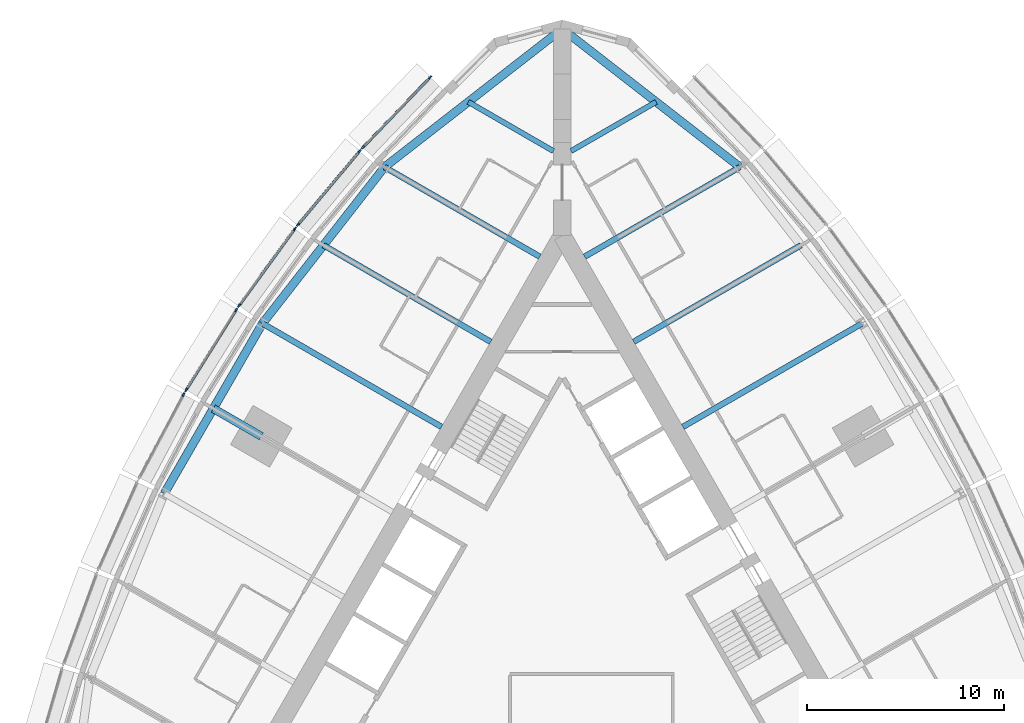
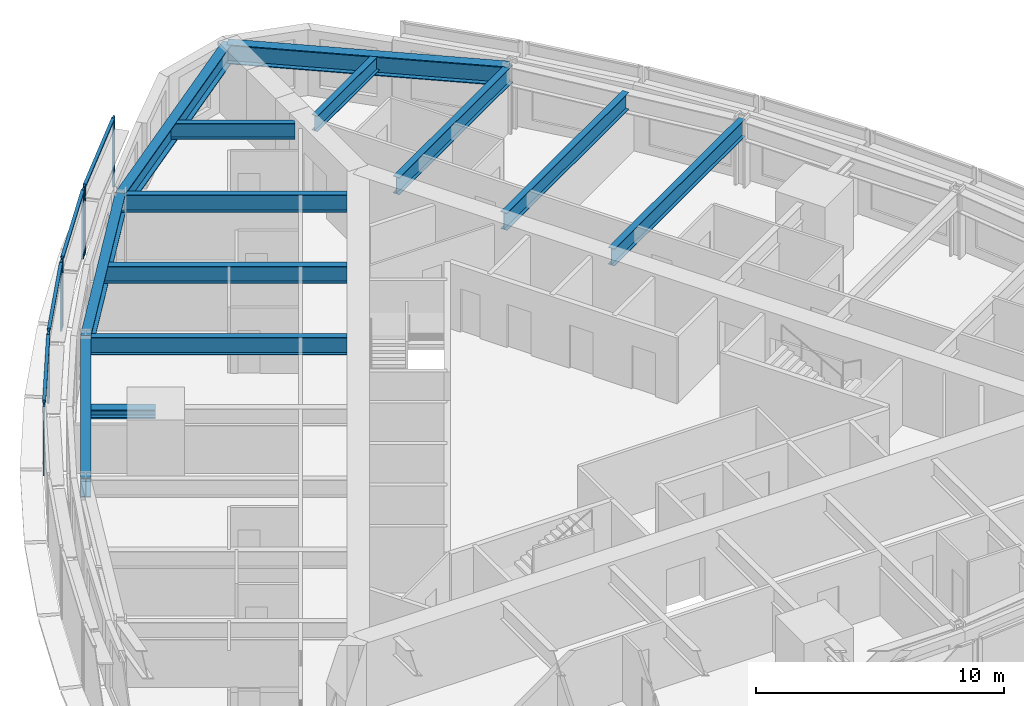
# One storey, part 4 of 14: 13 beams, 13 members, 5 elements without a shape of their own.
"""IFC4 building model written with IfcOpenShell, lengths in metres."""

from ifc_helpers import new_model, si_unit, direction, frame, origin, origin_2d, place, context, subcontext, project, spatial, rectangle, i_section, extrude, material, material_profile, profile_set, type_object, element, aggregate, save


model = new_model("IFC4")

# Units and contexts
model_context = context("Model", 3, precision=1e-05, world=origin(), true_north=direction((0.0, 1.0)))
body_context = subcontext(model_context, "Body", "Model", "MODEL_VIEW")
ifc_project = project(units=[si_unit("LENGTHUNIT", "METRE"), si_unit("AREAUNIT", "SQUARE_METRE"), si_unit("VOLUMEUNIT", "CUBIC_METRE"), si_unit("PLANEANGLEUNIT", "RADIAN"), si_unit("MASSUNIT", "GRAM", prefix="KILO")], contexts=[model_context])

# Site, building, storey
site_placement = place(None, origin())
site = spatial("IfcSite", under=ifc_project, at=site_placement, CompositionType="ELEMENT")
building_placement = place(site_placement, origin())
building = spatial("IfcBuilding", under=site, at=building_placement, Name="Trikona Tower", CompositionType="ELEMENT")
storey_placement = place(building_placement, frame((0.0, 0.0, 158.89990234375)))
storey = spatial("IfcBuildingStorey", under=building, at=storey_placement, Name="L42", CompositionType="ELEMENT", Elevation=158.89990234375)

# Curtain wall, members
ifc_material_1 = material(Name="Aluminium curtain wall system", Category="aluminium")
curtain_wall_type = type_object("IfcCurtainWallType", Name="Curtain wall DS2", PredefinedType="NOTDEFINED", material=ifc_material_1)
curtain_wall_1_placement = place(storey_placement, origin())
curtain_wall_1 = element("IfcCurtainWall", 1, at=curtain_wall_1_placement, inside=storey, type_object=curtain_wall_type, Name="Curtain wall DS2 L42", PredefinedType="NOTDEFINED")
ifc_material_2 = material(Name="Aluminium mullion, pale anodised", Category="aluminium")
ifc_material_profile_1 = material_profile(ifc_material_2, rectangle(XDim=0.080078125, YDim=0.199951171875, at=origin_2d()), Name="MUL-DS2")
ifc_profile_set_1 = profile_set([ifc_material_profile_1], Name="Aluminium mullion, pale anodised")
member_type_1 = type_object("IfcMemberType", Name="Mullion DS2 80x200", PredefinedType="MULLION", material=ifc_profile_set_1)
member_1_placement = place(storey_placement, frame((-6.718994140625, 27.1083984375, 0.0), z_axis=(0.0, 0.0, 1.0), x_axis=(0.722158330767, -0.691727797117, 0.0)))
member_1 = element("IfcMember", 2, at=member_1_placement, type_object=member_type_1, Name="CW-DS2 mullion 1", PredefinedType="MULLION", context=body_context, shape_type="SweptSolid", body=[
    extrude(rectangle(XDim=0.080078125, YDim=0.199951171875, at=origin_2d()), origin(), (0.0, 0.0, 1.0), 3.400146484375),
])
member_2_placement = place(storey_placement, frame((-10.1416015625, 23.535400390625, 0.0), z_axis=(0.0, 0.0, 1.0), x_axis=(0.722158330767, -0.691727797117, 0.0)))
member_2 = element("IfcMember", 3, at=member_2_placement, type_object=member_type_1, Name="CW-DS2 mullion 2", PredefinedType="MULLION", context=body_context, shape_type="SweptSolid", body=[
    extrude(rectangle(XDim=0.080078125, YDim=0.199951171875, at=origin_2d()), origin(), (0.0, 0.0, 1.0), 3.400146484375),
])

curtain_wall_2_placement = place(storey_placement, origin())
curtain_wall_2 = element("IfcCurtainWall", 4, at=curtain_wall_2_placement, inside=storey, type_object=curtain_wall_type, Name="Curtain wall DS2 L42", PredefinedType="NOTDEFINED")
member_3_placement = place(storey_placement, frame((-10.315185546875, 23.34130859375, 0.0), z_axis=(0.0, 0.0, 1.0), x_axis=(0.766866678271, -0.641806433248, 0.0)))
member_3 = element("IfcMember", 5, at=member_3_placement, type_object=member_type_1, Name="CW-DS2 mullion 1", PredefinedType="MULLION", context=body_context, shape_type="SweptSolid", body=[
    extrude(rectangle(XDim=0.080078125, YDim=0.199951171875, at=origin_2d()), origin(), (0.0, 0.0, 1.0), 3.400146484375),
])
member_4_placement = place(storey_placement, frame((-13.44482421875, 19.602294921875, 0.0), z_axis=(0.0, 0.0, 1.0), x_axis=(0.766866678271, -0.641806433248, 0.0)))
member_4 = element("IfcMember", 6, at=member_4_placement, type_object=member_type_1, Name="CW-DS2 mullion 2", PredefinedType="MULLION", context=body_context, shape_type="SweptSolid", body=[
    extrude(rectangle(XDim=0.080078125, YDim=0.199951171875, at=origin_2d()), origin(), (0.0, 0.0, 1.0), 3.400146484375),
])

curtain_wall_3_placement = place(storey_placement, origin())
curtain_wall_3 = element("IfcCurtainWall", 7, at=curtain_wall_3_placement, inside=storey, type_object=curtain_wall_type, Name="Curtain wall DS2 L42", PredefinedType="NOTDEFINED")
member_5_placement = place(storey_placement, frame((-13.605712890625, 19.39599609375, 0.0), z_axis=(0.0, 0.0, 1.0), x_axis=(0.80908576332, -0.587690588313, 0.0)))
member_5 = element("IfcMember", 8, at=member_5_placement, type_object=member_type_1, Name="CW-DS2 mullion 1", PredefinedType="MULLION", context=body_context, shape_type="SweptSolid", body=[
    extrude(rectangle(XDim=0.080078125, YDim=0.199951171875, at=origin_2d()), origin(), (0.0, 0.0, 1.0), 3.400146484375),
])
member_6_placement = place(storey_placement, frame((-16.442626953125, 15.489990234375, 0.0), z_axis=(0.0, 0.0, 1.0), x_axis=(0.80908576332, -0.587690588313, 0.0)))
member_6 = element("IfcMember", 9, at=member_6_placement, type_object=member_type_1, Name="CW-DS2 mullion 2", PredefinedType="MULLION", context=body_context, shape_type="SweptSolid", body=[
    extrude(rectangle(XDim=0.080078125, YDim=0.199951171875, at=origin_2d()), origin(), (0.0, 0.0, 1.0), 3.400146484375),
])

curtain_wall_4_placement = place(storey_placement, origin())
curtain_wall_4 = element("IfcCurtainWall", 10, at=curtain_wall_4_placement, inside=storey, type_object=curtain_wall_type, Name="Curtain wall DS2 L42", PredefinedType="NOTDEFINED")
member_7_placement = place(storey_placement, frame((-16.589599609375, 15.2724609375, 0.0), z_axis=(0.0, 0.0, 1.0), x_axis=(0.847998304006, -0.529998940002, 0.0)))
member_7 = element("IfcMember", 11, at=member_7_placement, type_object=member_type_1, Name="CW-DS2 mullion 1", PredefinedType="MULLION", context=body_context, shape_type="SweptSolid", body=[
    extrude(rectangle(XDim=0.080078125, YDim=0.199951171875, at=origin_2d()), origin(), (0.0, 0.0, 1.0), 3.400146484375),
])
member_8_placement = place(storey_placement, frame((-19.135009765625, 11.199462890625, 0.0), z_axis=(0.0, 0.0, 1.0), x_axis=(0.847998304006, -0.529998940002, 0.0)))
member_8 = element("IfcMember", 12, at=member_8_placement, type_object=member_type_1, Name="CW-DS2 mullion 2", PredefinedType="MULLION", context=body_context, shape_type="SweptSolid", body=[
    extrude(rectangle(XDim=0.080078125, YDim=0.199951171875, at=origin_2d()), origin(), (0.0, 0.0, 1.0), 3.400146484375),
])

# Curtain wall, member
curtain_wall_5_placement = place(storey_placement, origin())
curtain_wall_5 = element("IfcCurtainWall", 13, at=curtain_wall_5_placement, inside=storey, type_object=curtain_wall_type, Name="Curtain wall DS2 L42", PredefinedType="NOTDEFINED")
member_9_placement = place(storey_placement, frame((-19.2666015625, 10.9716796875, 0.0), z_axis=(0.0, 0.0, 1.0), x_axis=(0.882996107343, -0.469380308937, 0.0)))
member_9 = element("IfcMember", 14, at=member_9_placement, type_object=member_type_1, Name="CW-DS2 mullion 1", PredefinedType="MULLION", context=body_context, shape_type="SweptSolid", body=[
    extrude(rectangle(XDim=0.080078125, YDim=0.199951171875, at=origin_2d()), origin(), (0.0, 0.0, 1.0), 3.400146484375),
])
aggregate(curtain_wall_5, [member_9])

# Beams
ifc_material_3 = material(Name="Steel ASTM A992 Grade 50", Category="steel")
ifc_material_profile_2 = material_profile(ifc_material_3, i_section(OverallWidth=0.419189453125, OverallDepth=0.45458984375, WebThickness=0.042236328125, FlangeThickness=0.067626953125, at=origin_2d()), Name="W14X370")
ifc_profile_set_2 = profile_set([ifc_material_profile_2], Name="Steel ASTM A992 Grade 50")
beam_type_1 = type_object("IfcBeamType", Name="Steel beam W14x370 (apex bracket)", PredefinedType="BEAM", material=ifc_profile_set_2)
beam_1_placement = place(storey_placement, frame((-15.311767578125, 8.84033203125, 3.0078125), z_axis=(-0.86605005072, 0.499957307824, 0.0), x_axis=(-0.499957307824, -0.86605005072, 0.0)))
element("IfcBeam", 15, at=beam_1_placement, inside=storey, type_object=beam_type_1, Name="Cantilever bracket L43 F3", PredefinedType="BEAM", context=body_context, shape_type="SweptSolid", body=[
    extrude(i_section(OverallWidth=0.419189453125, OverallDepth=0.45458984375, WebThickness=0.042236328125, FlangeThickness=0.067626953125, at=origin_2d()), origin(), (0.0, 0.0, 1.0), 2.819580078125),
])
ifc_material_4 = material(Name="Steel ASTM A992 Grade 50", Category="steel")
ifc_material_profile_3 = material_profile(ifc_material_4, i_section(OverallWidth=0.2666015625, OverallDepth=0.76953125, WebThickness=0.015625, FlangeThickness=0.025390625, at=origin_2d()), Name="W30X132")
ifc_profile_set_3 = profile_set([ifc_material_profile_3], Name="Steel ASTM A992 Grade 50")
beam_type_2 = type_object("IfcBeamType", Name="Steel beam W30x132 (wedge)", PredefinedType="BEAM", material=ifc_profile_set_3)
for number, where, z_axis, x_axis, name in (
    (16, (0.449951171875, 23.353759765625, 2.850341796875), (0.866038434829, 0.49997742889, 0.0), (-0.49997742889, 0.866038434829, 0.0), "Floor beam L43 F2 u20"),
    (17, (-0.449951171875, 23.353759765625, 2.850341796875), (-0.866038434829, 0.49997742889, 0.0), (-0.49997742889, -0.866038434829, 0.0), "Floor beam L43 F3 u-20"),
):
    element("IfcBeam", number, at=place(storey_placement, frame(where, z_axis=z_axis, x_axis=x_axis)), inside=storey, type_object=beam_type_2, Name=name, PredefinedType="BEAM", context=body_context, shape_type="SweptSolid", body=[
        extrude(i_section(OverallWidth=0.2666015625, OverallDepth=0.76953125, WebThickness=0.015625, FlangeThickness=0.025390625, at=origin_2d()), origin(), (0.0, 0.0, 1.0), 5.000732421875),
    ])
ifc_material_5 = material(Name="Steel ASTM A992 Grade 50", Category="steel")
ifc_material_profile_4 = material_profile(ifc_material_5, i_section(OverallWidth=0.2919921875, OverallDepth=0.845703125, WebThickness=0.015380859375, FlangeThickness=0.0244140625, at=origin_2d()), Name="W33X141")
ifc_profile_set_4 = profile_set([ifc_material_profile_4], Name="Steel ASTM A992 Grade 50")
beam_type_3 = type_object("IfcBeamType", Name="Steel beam W33x141 (radial typ)", PredefinedType="BEAM", material=ifc_profile_set_4)
beam_2_placement = place(storey_placement, frame((6.1396484375, 9.318359375, 2.812255859375), z_axis=(0.866036080828, 0.499981506362, 0.0), x_axis=(-0.499981506362, 0.866036080828, 0.0)))
element("IfcBeam", 18, at=beam_2_placement, inside=storey, type_object=beam_type_3, Name="Floor beam L43 F2 u5", PredefinedType="BEAM", context=body_context, shape_type="SweptSolid", body=[
    extrude(i_section(OverallWidth=0.2919921875, OverallDepth=0.845703125, WebThickness=0.015380859375, FlangeThickness=0.0244140625, at=origin_2d()), origin(), (0.0, 0.0, 1.0), 10.52392578125),
])
beam_3_placement = place(storey_placement, frame((3.6396484375, 13.6484375, 2.812255859375), z_axis=(0.866030807744, 0.499990639951, 0.0), x_axis=(-0.499990639951, 0.866030807744, 0.0)))
element("IfcBeam", 19, at=beam_3_placement, inside=storey, type_object=beam_type_3, Name="Floor beam L43 F2 u10", PredefinedType="BEAM", context=body_context, shape_type="SweptSolid", body=[
    extrude(i_section(OverallWidth=0.2919921875, OverallDepth=0.845703125, WebThickness=0.015380859375, FlangeThickness=0.0244140625, at=origin_2d()), origin(), (0.0, 0.0, 1.0), 9.823974609375),
])
for number, where, z_axis, x_axis, name in (
    (20, (1.1396484375, 17.978515625, 2.812255859375), (0.866024725532, 0.500001174766, 0.0), (-0.500001174766, 0.866024725532, 0.0), "Floor beam L43 F2 u15"),
    (21, (-1.1396484375, 17.978515625, 2.812255859375), (-0.866024725532, 0.500001174766, 0.0), (-0.500001174766, -0.866024725532, 0.0), "Floor beam L43 F3 u-15"),
):
    element("IfcBeam", number, at=place(storey_placement, frame(where, z_axis=z_axis, x_axis=x_axis)), inside=storey, type_object=beam_type_3, Name=name, PredefinedType="BEAM", context=body_context, shape_type="SweptSolid", body=[
        extrude(i_section(OverallWidth=0.2919921875, OverallDepth=0.845703125, WebThickness=0.015380859375, FlangeThickness=0.0244140625, at=origin_2d()), origin(), (0.0, 0.0, 1.0), 9.1240234375),
    ])
beam_4_placement = place(storey_placement, frame((-3.6396484375, 13.6484375, 2.812255859375), z_axis=(-0.866030807744, 0.499990639951, 0.0), x_axis=(-0.499990639951, -0.866030807744, 0.0)))
element("IfcBeam", 22, at=beam_4_placement, inside=storey, type_object=beam_type_3, Name="Floor beam L43 F3 u-10", PredefinedType="BEAM", context=body_context, shape_type="SweptSolid", body=[
    extrude(i_section(OverallWidth=0.2919921875, OverallDepth=0.845703125, WebThickness=0.015380859375, FlangeThickness=0.0244140625, at=origin_2d()), origin(), (0.0, 0.0, 1.0), 9.823974609375),
])
beam_5_placement = place(storey_placement, frame((-6.1396484375, 9.318359375, 2.812255859375), z_axis=(-0.866036080828, 0.499981506362, 0.0), x_axis=(-0.499981506362, -0.866036080828, 0.0)))
element("IfcBeam", 23, at=beam_5_placement, inside=storey, type_object=beam_type_3, Name="Floor beam L43 F3 u-5", PredefinedType="BEAM", context=body_context, shape_type="SweptSolid", body=[
    extrude(i_section(OverallWidth=0.2919921875, OverallDepth=0.845703125, WebThickness=0.015380859375, FlangeThickness=0.0244140625, at=origin_2d()), origin(), (0.0, 0.0, 1.0), 10.52392578125),
])
ifc_material_6 = material(Name="Steel ASTM A992 Grade 50", Category="steel")
ifc_material_profile_5 = material_profile(ifc_material_6, i_section(OverallWidth=0.424072265625, OverallDepth=0.947509765625, WebThickness=0.02392578125, FlangeThickness=0.042724609375, at=origin_2d()), Name="W36X302")
ifc_profile_set_5 = profile_set([ifc_material_profile_5], Name="Steel ASTM A992 Grade 50")
beam_type_4 = type_object("IfcBeamType", Name="Steel beam W36x302 (spandrel)", PredefinedType="SPANDREL", material=ifc_profile_set_5)
for number, where, z_axis, x_axis, name in (
    (24, (9.041259765625, 22.54052734375, 2.761474609375), (-0.789367137808, 0.613921429621, 0.0), (-0.613921429621, -0.789367137808, 0.0), "Spandrel beam L43 F2-5"),
    (25, (0.0, 29.572265625, 2.761474609375), (-0.789367137808, -0.613921429621, 0.0), (0.613921429621, -0.789367137808, 0.0), "Spandrel beam L43 F3-1"),
):
    element("IfcBeam", number, at=place(storey_placement, frame(where, z_axis=z_axis, x_axis=x_axis)), inside=storey, type_object=beam_type_4, Name=name, PredefinedType="SPANDREL", context=body_context, shape_type="SweptSolid", body=[
        extrude(i_section(OverallWidth=0.424072265625, OverallDepth=0.947509765625, WebThickness=0.02392578125, FlangeThickness=0.042724609375, at=origin_2d()), origin(), (0.0, 0.0, 1.0), 11.453857421875),
    ])
beam_6_placement = place(storey_placement, frame((-9.041259765625, 22.54052734375, 2.761474609375), z_axis=(-0.615232009054, -0.788346101046, 0.0), x_axis=(0.788346101046, -0.615232009054, 0.0)))
element("IfcBeam", 26, at=beam_6_placement, inside=storey, type_object=beam_type_4, Name="Spandrel beam L43 F3-2", PredefinedType="SPANDREL", context=body_context, shape_type="SweptSolid", body=[
    extrude(i_section(OverallWidth=0.424072265625, OverallDepth=0.947509765625, WebThickness=0.02392578125, FlangeThickness=0.042724609375, at=origin_2d()), origin(), (0.0, 0.0, 1.0), 10.09765625),
])
beam_7_placement = place(storey_placement, frame((-15.253662109375, 14.580078125, 2.761474609375), z_axis=(-0.500004234368, -0.866022959057, 0.0), x_axis=(0.866022959057, -0.500004234368, 0.0)))
element("IfcBeam", 27, at=beam_7_placement, inside=storey, type_object=beam_type_4, Name="Spandrel beam L43 F3-3", PredefinedType="SPANDREL", context=body_context, shape_type="SweptSolid", body=[
    extrude(i_section(OverallWidth=0.424072265625, OverallDepth=0.947509765625, WebThickness=0.02392578125, FlangeThickness=0.042724609375, at=origin_2d()), origin(), (0.0, 0.0, 1.0), 10.0),
])

# Member
ifc_material_7 = material(Name="Aluminium transom, pale anodised", Category="aluminium")
ifc_material_profile_6 = material_profile(ifc_material_7, rectangle(XDim=0.139892578125, YDim=0.080078125, at=origin_2d()), Name="TRN-DS2")
ifc_profile_set_6 = profile_set([ifc_material_profile_6], Name="Aluminium transom, pale anodised")
member_type_2 = type_object("IfcMemberType", Name="Transom DS2 80x140", PredefinedType="USERDEFINED", material=ifc_profile_set_6)
member_10_placement = place(storey_placement, frame((-6.746826171875, 27.07958984375, 3.360107421875), z_axis=(-0.691721246785, -0.722164605022, 0.0), x_axis=(0.722164605022, -0.691721246785, 0.0)))
member_10 = element("IfcMember", 28, at=member_10_placement, type_object=member_type_2, Name="CW-DS2 transom 1.1", ObjectType="TRANSOM", PredefinedType="USERDEFINED", context=body_context, shape_type="SweptSolid", body=[
    extrude(rectangle(XDim=0.139892578125, YDim=0.080078125, at=origin_2d()), origin(), (0.0, 0.0, 1.0), 4.867919921875),
])

aggregate(curtain_wall_1, [member_1, member_2, member_10])

member_11_placement = place(storey_placement, frame((-10.341064453125, 23.310791015625, 3.360107421875), z_axis=(-0.641770294892, -0.766896921753, 0.0), x_axis=(0.766896921753, -0.641770294892, 0.0)))
member_11 = element("IfcMember", 29, at=member_11_placement, type_object=member_type_2, Name="CW-DS2 transom 1.1", ObjectType="TRANSOM", PredefinedType="USERDEFINED", context=body_context, shape_type="SweptSolid", body=[
    extrude(rectangle(XDim=0.139892578125, YDim=0.080078125, at=origin_2d()), origin(), (0.0, 0.0, 1.0), 4.7958984375),
])

aggregate(curtain_wall_2, [member_3, member_4, member_11])

member_12_placement = place(storey_placement, frame((-13.629150390625, 19.363525390625, 3.360107421875), z_axis=(-0.587694585883, -0.809082859616, 0.0), x_axis=(0.809082859616, -0.587694585883, 0.0)))
member_12 = element("IfcMember", 30, at=member_12_placement, type_object=member_type_2, Name="CW-DS2 transom 1.1", ObjectType="TRANSOM", PredefinedType="USERDEFINED", context=body_context, shape_type="SweptSolid", body=[
    extrude(rectangle(XDim=0.139892578125, YDim=0.080078125, at=origin_2d()), origin(), (0.0, 0.0, 1.0), 4.747314453125),
])

aggregate(curtain_wall_3, [member_5, member_6, member_12])

member_13_placement = place(storey_placement, frame((-16.610595703125, 15.238525390625, 3.360107421875), z_axis=(-0.530031463794, -0.847977975769, 0.0), x_axis=(0.847977975769, -0.530031463794, 0.0)))
member_13 = element("IfcMember", 31, at=member_13_placement, type_object=member_type_2, Name="CW-DS2 transom 1.1", ObjectType="TRANSOM", PredefinedType="USERDEFINED", context=body_context, shape_type="SweptSolid", body=[
    extrude(rectangle(XDim=0.139892578125, YDim=0.080078125, at=origin_2d()), origin(), (0.0, 0.0, 1.0), 4.72314453125),
])

aggregate(curtain_wall_4, [member_7, member_8, member_13])

save(model, "model.ifc")
